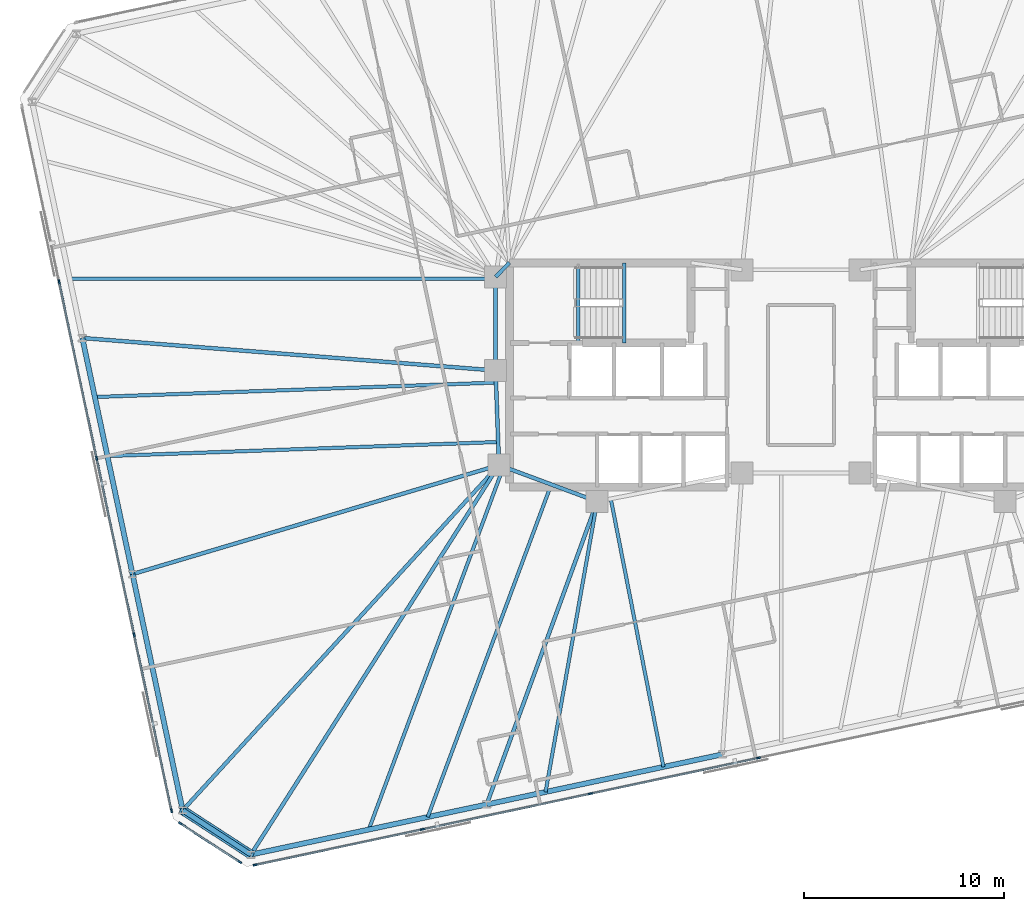
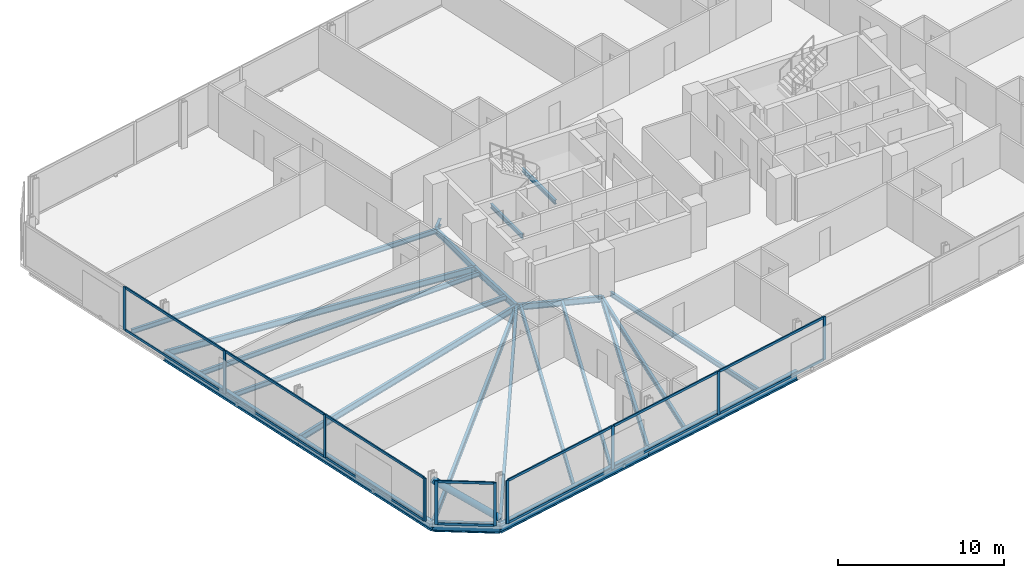
# One storey, part 6 of 19: 25 members, 23 beams, 3 elements without a shape of their own.
"""IFC4 building model written with IfcOpenShell, lengths in metres."""

from ifc_helpers import new_model, si_unit, direction, frame, origin, origin_2d, place, context, subcontext, project, spatial, rectangle, hollow_circle, i_section, extrude, material, material_profile, profile_set, type_object, element, aggregate, save


model = new_model("IFC4")

# Units and contexts
model_context = context("Model", 3, precision=1e-05, world=origin(), true_north=direction((0.0, 1.0)))
body_context = subcontext(model_context, "Body", "Model", "MODEL_VIEW")
ifc_project = project(units=[si_unit("LENGTHUNIT", "METRE"), si_unit("AREAUNIT", "SQUARE_METRE"), si_unit("VOLUMEUNIT", "CUBIC_METRE"), si_unit("PLANEANGLEUNIT", "RADIAN"), si_unit("MASSUNIT", "GRAM", prefix="KILO")], contexts=[model_context])

# Site, building, storey
site_placement = place(None, origin())
site = spatial("IfcSite", under=ifc_project, at=site_placement, CompositionType="ELEMENT")
building_placement = place(site_placement, origin())
building = spatial("IfcBuilding", under=site, at=building_placement, Name="Menara Jurai Vektor", CompositionType="ELEMENT")
storey_placement = place(building_placement, frame((0.0, 0.0, 195.60009765625)))
storey = spatial("IfcBuildingStorey", under=building, at=storey_placement, Name="L51", CompositionType="ELEMENT", Elevation=195.60009765625)

# Curtain wall, members
ifc_material_1 = material(Name="Anodised Pale Aluminium & Low-E Double Glazing", Category="aluminium")
curtain_wall_type = type_object("IfcCurtainWallType", Name="CW-BLK3", PredefinedType="NOTDEFINED", material=ifc_material_1)
curtain_wall_1_placement = place(storey_placement, origin())
curtain_wall_1 = element("IfcCurtainWall", 1, at=curtain_wall_1_placement, inside=storey, type_object=curtain_wall_type, Name="Unitised Curtain Wall L51 F01", PredefinedType="NOTDEFINED")
ifc_material_2 = material(Name="Anodised Pale Aluminium Mullion", Category="aluminium")
ifc_material_profile_1 = material_profile(ifc_material_2, rectangle(XDim=0.0849609375, YDim=0.205078125, at=origin_2d()), Name="ALU MUL 85x205")
ifc_profile_set_1 = profile_set([ifc_material_profile_1], Name="Anodised Pale Aluminium Mullion")
member_type_1 = type_object("IfcMemberType", Name="CW-BLK3-MUL", PredefinedType="MULLION", material=ifc_profile_set_1)
member_1_placement = place(storey_placement, frame((-27.25244140625, -24.462890625, 0.0), z_axis=(0.0, 0.0, 1.0), x_axis=(-0.207911344156, 0.978147674419, 0.0)))
member_1 = element("IfcMember", 2, at=member_1_placement, type_object=member_type_1, Name="CW-03 mullion 1", PredefinedType="MULLION", context=body_context, shape_type="SweptSolid", body=[
    extrude(rectangle(XDim=0.0849609375, YDim=0.205078125, at=origin_2d()), origin(), (0.0, 0.0, 1.0), 3.1748046875),
])
member_2_placement = place(storey_placement, frame((-18.904296875, -22.6884765625, 0.0), z_axis=(0.0, 0.0, 1.0), x_axis=(-0.207911344156, 0.978147674419, 0.0)))
member_2 = element("IfcMember", 3, at=member_2_placement, type_object=member_type_1, Name="CW-03 mullion 2", PredefinedType="MULLION", context=body_context, shape_type="SweptSolid", body=[
    extrude(rectangle(XDim=0.0849609375, YDim=0.205078125, at=origin_2d()), origin(), (0.0, 0.0, 1.0), 3.1748046875),
])
member_3_placement = place(storey_placement, frame((-10.514404296875, -20.905029296875, 0.0), z_axis=(0.0, 0.0, 1.0), x_axis=(-0.207911344156, 0.978147674419, 0.0)))
member_3 = element("IfcMember", 4, at=member_3_placement, type_object=member_type_1, Name="CW-03 mullion 3", PredefinedType="MULLION", context=body_context, shape_type="SweptSolid", body=[
    extrude(rectangle(XDim=0.0849609375, YDim=0.205078125, at=origin_2d()), origin(), (0.0, 0.0, 1.0), 3.1748046875),
])
member_4_placement = place(storey_placement, frame((-2.124755859375, -19.121826171875, 0.0), z_axis=(0.0, 0.0, 1.0), x_axis=(-0.207911344156, 0.978147674419, 0.0)))
member_4 = element("IfcMember", 5, at=member_4_placement, type_object=member_type_1, Name="CW-03 mullion 4", PredefinedType="MULLION", context=body_context, shape_type="SweptSolid", body=[
    extrude(rectangle(XDim=0.0849609375, YDim=0.205078125, at=origin_2d()), origin(), (0.0, 0.0, 1.0), 3.1748046875),
])

curtain_wall_2_placement = place(storey_placement, origin())
curtain_wall_2 = element("IfcCurtainWall", 6, at=curtain_wall_2_placement, inside=storey, type_object=curtain_wall_type, Name="Unitised Curtain Wall L51 F07", PredefinedType="NOTDEFINED")
member_5_placement = place(storey_placement, frame((-37.041259765625, 4.648193359375, 0.0), z_axis=(0.0, 0.0, 1.0), x_axis=(0.978147883949, 0.20791035839, 0.0)))
member_5 = element("IfcMember", 7, at=member_5_placement, type_object=member_type_1, Name="CW-03 mullion 2", PredefinedType="MULLION", context=body_context, shape_type="SweptSolid", body=[
    extrude(rectangle(XDim=0.0849609375, YDim=0.205078125, at=origin_2d()), origin(), (0.0, 0.0, 1.0), 3.1748046875),
])
member_6_placement = place(storey_placement, frame((-35.16796875, -4.1650390625, 0.0), z_axis=(0.0, 0.0, 1.0), x_axis=(0.978147883949, 0.20791035839, 0.0)))
member_6 = element("IfcMember", 8, at=member_6_placement, type_object=member_type_1, Name="CW-03 mullion 3", PredefinedType="MULLION", context=body_context, shape_type="SweptSolid", body=[
    extrude(rectangle(XDim=0.0849609375, YDim=0.205078125, at=origin_2d()), origin(), (0.0, 0.0, 1.0), 3.1748046875),
])
member_7_placement = place(storey_placement, frame((-33.294677734375, -12.978271484375, 0.0), z_axis=(0.0, 0.0, 1.0), x_axis=(0.978147883949, 0.20791035839, 0.0)))
member_7 = element("IfcMember", 9, at=member_7_placement, type_object=member_type_1, Name="CW-03 mullion 4", PredefinedType="MULLION", context=body_context, shape_type="SweptSolid", body=[
    extrude(rectangle(XDim=0.0849609375, YDim=0.205078125, at=origin_2d()), origin(), (0.0, 0.0, 1.0), 3.1748046875),
])
member_8_placement = place(storey_placement, frame((-31.43017578125, -21.749755859375, 0.0), z_axis=(0.0, 0.0, 1.0), x_axis=(0.978147883949, 0.20791035839, 0.0)))
member_8 = element("IfcMember", 10, at=member_8_placement, type_object=member_type_1, Name="CW-03 mullion 5", PredefinedType="MULLION", context=body_context, shape_type="SweptSolid", body=[
    extrude(rectangle(XDim=0.0849609375, YDim=0.205078125, at=origin_2d()), origin(), (0.0, 0.0, 1.0), 3.1748046875),
])

curtain_wall_3_placement = place(storey_placement, origin())
curtain_wall_3 = element("IfcCurtainWall", 11, at=curtain_wall_3_placement, inside=storey, type_object=curtain_wall_type, Name="Unitised Curtain Wall L51 F08", PredefinedType="NOTDEFINED")
member_9_placement = place(storey_placement, frame((-30.988037109375, -22.39306640625, 0.0), z_axis=(0.0, 0.0, 1.0), x_axis=(0.544617794346, 0.838684361415, 0.0)))
member_9 = element("IfcMember", 12, at=member_9_placement, type_object=member_type_1, Name="CW-03 mullion 1", PredefinedType="MULLION", context=body_context, shape_type="SweptSolid", body=[
    extrude(rectangle(XDim=0.0849609375, YDim=0.205078125, at=origin_2d()), origin(), (0.0, 0.0, 1.0), 3.1748046875),
])
member_10_placement = place(storey_placement, frame((-28.02001953125, -24.320556640625, 0.0), z_axis=(0.0, 0.0, 1.0), x_axis=(0.544617794346, 0.838684361415, 0.0)))
member_10 = element("IfcMember", 13, at=member_10_placement, type_object=member_type_1, Name="CW-03 mullion 2", PredefinedType="MULLION", context=body_context, shape_type="SweptSolid", body=[
    extrude(rectangle(XDim=0.0849609375, YDim=0.205078125, at=origin_2d()), origin(), (0.0, 0.0, 1.0), 3.1748046875),
])

# Member
ifc_material_3 = material(Name="Anodised Pale Aluminium Transom", Category="aluminium")
ifc_material_profile_2 = material_profile(ifc_material_3, rectangle(XDim=0.0849609375, YDim=0.175048828125, at=origin_2d()), Name="ALU TRN 85x175")
ifc_profile_set_2 = profile_set([ifc_material_profile_2], Name="Anodised Pale Aluminium Transom")
member_type_2 = type_object("IfcMemberType", Name="CW-BLK3-TRN", PredefinedType="USERDEFINED", material=ifc_profile_set_2)
member_11_placement = place(storey_placement, frame((-27.210693359375, -24.4541015625, 0.04248046875), z_axis=(0.978145704369, 0.207920612313, 0.0), x_axis=(-0.207920612313, 0.978145704369, 0.0)))
member_11 = element("IfcMember", 14, at=member_11_placement, type_object=member_type_2, Name="CW-03 transom 1.1", ObjectType="TRANSOM", PredefinedType="USERDEFINED", context=body_context, shape_type="SweptSolid", body=[
    extrude(rectangle(XDim=0.0849609375, YDim=0.175048828125, at=origin_2d()), origin(), (0.0, 0.0, 1.0), 8.449462890625),
])

member_12_placement = place(storey_placement, frame((-27.210693359375, -24.4541015625, 3.13232421875), z_axis=(0.978145704369, 0.207920612313, 0.0), x_axis=(-0.207920612313, 0.978145704369, 0.0)))
member_12 = element("IfcMember", 15, at=member_12_placement, type_object=member_type_2, Name="CW-03 transom 1.2", ObjectType="TRANSOM", PredefinedType="USERDEFINED", context=body_context, shape_type="SweptSolid", body=[
    extrude(rectangle(XDim=0.0849609375, YDim=0.175048828125, at=origin_2d()), origin(), (0.0, 0.0, 1.0), 8.449462890625),
])

member_13_placement = place(storey_placement, frame((-18.862548828125, -22.6796875, 0.04248046875), z_axis=(0.978146500933, 0.207916864907, 0.0), x_axis=(-0.207916864907, 0.978146500933, 0.0)))
member_13 = element("IfcMember", 16, at=member_13_placement, type_object=member_type_2, Name="CW-03 transom 2.1", ObjectType="TRANSOM", PredefinedType="USERDEFINED", context=body_context, shape_type="SweptSolid", body=[
    extrude(rectangle(XDim=0.0849609375, YDim=0.175048828125, at=origin_2d()), origin(), (0.0, 0.0, 1.0), 8.491943359375),
])

member_14_placement = place(storey_placement, frame((-18.862548828125, -22.6796875, 3.13232421875), z_axis=(0.978146500933, 0.207916864907, 0.0), x_axis=(-0.207916864907, 0.978146500933, 0.0)))
member_14 = element("IfcMember", 17, at=member_14_placement, type_object=member_type_2, Name="CW-03 transom 2.2", ObjectType="TRANSOM", PredefinedType="USERDEFINED", context=body_context, shape_type="SweptSolid", body=[
    extrude(rectangle(XDim=0.0849609375, YDim=0.175048828125, at=origin_2d()), origin(), (0.0, 0.0, 1.0), 8.491943359375),
])

member_15_placement = place(storey_placement, frame((-10.472900390625, -20.896240234375, 0.04248046875), z_axis=(0.978147743708, 0.207911018178, 0.0), x_axis=(-0.207911018178, 0.978147743708, 0.0)))
member_15 = element("IfcMember", 18, at=member_15_placement, type_object=member_type_2, Name="CW-03 transom 3.1", ObjectType="TRANSOM", PredefinedType="USERDEFINED", context=body_context, shape_type="SweptSolid", body=[
    extrude(rectangle(XDim=0.0849609375, YDim=0.175048828125, at=origin_2d()), origin(), (0.0, 0.0, 1.0), 8.4921875),
])

member_16_placement = place(storey_placement, frame((-10.472900390625, -20.896240234375, 3.13232421875), z_axis=(0.978147743708, 0.207911018178, 0.0), x_axis=(-0.207911018178, 0.978147743708, 0.0)))
member_16 = element("IfcMember", 19, at=member_16_placement, type_object=member_type_2, Name="CW-03 transom 3.2", ObjectType="TRANSOM", PredefinedType="USERDEFINED", context=body_context, shape_type="SweptSolid", body=[
    extrude(rectangle(XDim=0.0849609375, YDim=0.175048828125, at=origin_2d()), origin(), (0.0, 0.0, 1.0), 8.4921875),
])

aggregate(curtain_wall_1, [member_1, member_2, member_3, member_4, member_11, member_12, member_13, member_14, member_15, member_16])

member_17_placement = place(storey_placement, frame((-37.032470703125, 4.6064453125, 0.04248046875), z_axis=(0.207922224243, -0.978145361726, 0.0), x_axis=(0.978145361726, 0.207922224243, 0.0)))
member_17 = element("IfcMember", 20, at=member_17_placement, type_object=member_type_2, Name="CW-03 transom 2.1", ObjectType="TRANSOM", PredefinedType="USERDEFINED", context=body_context, shape_type="SweptSolid", body=[
    extrude(rectangle(XDim=0.0849609375, YDim=0.175048828125, at=origin_2d()), origin(), (0.0, 0.0, 1.0), 8.925048828125),
])

member_18_placement = place(storey_placement, frame((-37.032470703125, 4.6064453125, 3.13232421875), z_axis=(0.207922224243, -0.978145361726, 0.0), x_axis=(0.978145361726, 0.207922224243, 0.0)))
member_18 = element("IfcMember", 21, at=member_18_placement, type_object=member_type_2, Name="CW-03 transom 2.2", ObjectType="TRANSOM", PredefinedType="USERDEFINED", context=body_context, shape_type="SweptSolid", body=[
    extrude(rectangle(XDim=0.0849609375, YDim=0.175048828125, at=origin_2d()), origin(), (0.0, 0.0, 1.0), 8.925048828125),
])

member_19_placement = place(storey_placement, frame((-35.1591796875, -4.20654296875, 0.04248046875), z_axis=(0.207922224243, -0.978145361726, 0.0), x_axis=(0.978145361726, 0.207922224243, 0.0)))
member_19 = element("IfcMember", 22, at=member_19_placement, type_object=member_type_2, Name="CW-03 transom 3.1", ObjectType="TRANSOM", PredefinedType="USERDEFINED", context=body_context, shape_type="SweptSolid", body=[
    extrude(rectangle(XDim=0.0849609375, YDim=0.175048828125, at=origin_2d()), origin(), (0.0, 0.0, 1.0), 8.925048828125),
])

member_20_placement = place(storey_placement, frame((-35.1591796875, -4.20654296875, 3.13232421875), z_axis=(0.207922224243, -0.978145361726, 0.0), x_axis=(0.978145361726, 0.207922224243, 0.0)))
member_20 = element("IfcMember", 23, at=member_20_placement, type_object=member_type_2, Name="CW-03 transom 3.2", ObjectType="TRANSOM", PredefinedType="USERDEFINED", context=body_context, shape_type="SweptSolid", body=[
    extrude(rectangle(XDim=0.0849609375, YDim=0.175048828125, at=origin_2d()), origin(), (0.0, 0.0, 1.0), 8.925048828125),
])

member_21_placement = place(storey_placement, frame((-33.285888671875, -13.019775390625, 0.04248046875), z_axis=(0.207925814542, -0.978144598537, 0.0), x_axis=(0.978144598537, 0.207925814542, 0.0)))
member_21 = element("IfcMember", 24, at=member_21_placement, type_object=member_type_2, Name="CW-03 transom 4.1", ObjectType="TRANSOM", PredefinedType="USERDEFINED", context=body_context, shape_type="SweptSolid", body=[
    extrude(rectangle(XDim=0.0849609375, YDim=0.175048828125, at=origin_2d()), origin(), (0.0, 0.0, 1.0), 8.882568359375),
])

member_22_placement = place(storey_placement, frame((-33.285888671875, -13.019775390625, 3.13232421875), z_axis=(0.207925814542, -0.978144598537, 0.0), x_axis=(0.978144598537, 0.207925814542, 0.0)))
member_22 = element("IfcMember", 25, at=member_22_placement, type_object=member_type_2, Name="CW-03 transom 4.2", ObjectType="TRANSOM", PredefinedType="USERDEFINED", context=body_context, shape_type="SweptSolid", body=[
    extrude(rectangle(XDim=0.0849609375, YDim=0.175048828125, at=origin_2d()), origin(), (0.0, 0.0, 1.0), 8.882568359375),
])

aggregate(curtain_wall_2, [member_5, member_6, member_7, member_8, member_17, member_18, member_19, member_20, member_21, member_22])

member_23_placement = place(storey_placement, frame((-30.952392578125, -22.416259765625, 0.04248046875), z_axis=(0.83867770631, -0.54462804274, 0.0), x_axis=(0.54462804274, 0.83867770631, 0.0)))
member_23 = element("IfcMember", 26, at=member_23_placement, type_object=member_type_2, Name="CW-03 transom 1.1", ObjectType="TRANSOM", PredefinedType="USERDEFINED", context=body_context, shape_type="SweptSolid", body=[
    extrude(rectangle(XDim=0.0849609375, YDim=0.175048828125, at=origin_2d()), origin(), (0.0, 0.0, 1.0), 3.453857421875),
])

member_24_placement = place(storey_placement, frame((-30.952392578125, -22.416259765625, 3.13232421875), z_axis=(0.83867770631, -0.54462804274, 0.0), x_axis=(0.54462804274, 0.83867770631, 0.0)))
member_24 = element("IfcMember", 27, at=member_24_placement, type_object=member_type_2, Name="CW-03 transom 1.2", ObjectType="TRANSOM", PredefinedType="USERDEFINED", context=body_context, shape_type="SweptSolid", body=[
    extrude(rectangle(XDim=0.0849609375, YDim=0.175048828125, at=origin_2d()), origin(), (0.0, 0.0, 1.0), 3.453857421875),
])

aggregate(curtain_wall_3, [member_9, member_10, member_23, member_24])

# Beams
ifc_material_4 = material(Name="Steel S355", Category="steel")
ifc_material_profile_3 = material_profile(ifc_material_4, i_section(OverallWidth=0.19091796875, OverallDepth=0.4599609375, WebThickness=0.010009765625, FlangeThickness=0.01611328125, FilletRadius=0.010009765625, at=origin_2d()), Name="UKB 457x191x82")
ifc_profile_set_3 = profile_set([ifc_material_profile_3], Name="Steel S355")
beam_type_1 = type_object("IfcBeamType", Name="STR-BM-457", PredefinedType="BEAM", material=ifc_profile_set_3)
beam_1_placement = place(storey_placement, frame((-15.25, 4.89990234375, -0.455078125), z_axis=(0.701871936926, 0.712303154672, 0.0), x_axis=(-0.712303154672, 0.701871936926, 0.0)))
element("IfcBeam", 28, at=beam_1_placement, inside=storey, type_object=beam_type_1, Name="Core Ring Header Girder L51-CHW-N1", PredefinedType="BEAM", context=body_context, shape_type="SweptSolid", body=[
    extrude(i_section(OverallWidth=0.19091796875, OverallDepth=0.4599609375, WebThickness=0.010009765625, FlangeThickness=0.01611328125, FilletRadius=0.010009765625, at=origin_2d()), origin(), (0.0, 0.0, 1.0), 0.98291015625),
])
beam_2_placement = place(storey_placement, frame((-15.25, 0.219970703125, -0.455078125), z_axis=(0.0, 1.0, 0.0), x_axis=(-1.0, 0.0, 0.0)))
element("IfcBeam", 29, at=beam_2_placement, inside=storey, type_object=beam_type_1, Name="Core Ring Header Girder L51-CHW-W1", PredefinedType="BEAM", context=body_context, shape_type="SweptSolid", body=[
    extrude(i_section(OverallWidth=0.19091796875, OverallDepth=0.4599609375, WebThickness=0.010009765625, FlangeThickness=0.01611328125, FilletRadius=0.010009765625, at=origin_2d()), origin(), (0.0, 0.0, 1.0), 4.679931640625),
])
beam_3_placement = place(storey_placement, frame((-15.080078125, -4.5, -0.455078125), z_axis=(-0.035977314146, 0.999352606874, 0.0), x_axis=(-0.999352606874, -0.035977314146, 0.0)))
element("IfcBeam", 30, at=beam_3_placement, inside=storey, type_object=beam_type_1, Name="Core Ring Header Girder L51-CHW-W2", PredefinedType="BEAM", context=body_context, shape_type="SweptSolid", body=[
    extrude(i_section(OverallWidth=0.19091796875, OverallDepth=0.4599609375, WebThickness=0.010009765625, FlangeThickness=0.01611328125, FilletRadius=0.010009765625, at=origin_2d()), origin(), (0.0, 0.0, 1.0), 4.72314453125),
])
beam_4_placement = place(storey_placement, frame((-15.080078125, -4.5, -0.455078125), z_axis=(0.937424400887, -0.348188874925, 0.0), x_axis=(0.348188874925, 0.937424400887, 0.0)))
element("IfcBeam", 31, at=beam_4_placement, inside=storey, type_object=beam_type_1, Name="Core Ring Header Girder L51-CHW-S1", PredefinedType="BEAM", context=body_context, shape_type="SweptSolid", body=[
    extrude(i_section(OverallWidth=0.19091796875, OverallDepth=0.4599609375, WebThickness=0.010009765625, FlangeThickness=0.01611328125, FilletRadius=0.010009765625, at=origin_2d()), origin(), (0.0, 0.0, 1.0), 5.227294921875),
])
beam_5_placement = place(storey_placement, frame((-27.46484375, -23.94580078125, -0.455078125), z_axis=(0.537189280991, 0.843461721946, 0.0), x_axis=(-0.843461721946, 0.537189280991, 0.0)))
element("IfcBeam", 32, at=beam_5_placement, inside=storey, type_object=beam_type_1, Name="Radial Floor Girder L51-S1", PredefinedType="BEAM", context=body_context, shape_type="SweptSolid", body=[
    extrude(i_section(OverallWidth=0.19091796875, OverallDepth=0.4599609375, WebThickness=0.010009765625, FlangeThickness=0.01611328125, FilletRadius=0.010009765625, at=origin_2d()), origin(), (0.0, 0.0, 1.0), 23.0546875),
])
beam_6_placement = place(storey_placement, frame((-15.696533203125, -21.4443359375, -0.455078125), z_axis=(0.342668294367, 0.939456459893, 0.0), x_axis=(-0.939456459893, 0.342668294367, 0.0)))
element("IfcBeam", 33, at=beam_6_placement, inside=storey, type_object=beam_type_1, Name="Radial Floor Girder L51-S2", PredefinedType="BEAM", context=body_context, shape_type="SweptSolid", body=[
    extrude(i_section(OverallWidth=0.19091796875, OverallDepth=0.4599609375, WebThickness=0.010009765625, FlangeThickness=0.01611328125, FilletRadius=0.010009765625, at=origin_2d()), origin(), (0.0, 0.0, 1.0), 16.098876953125),
])
beam_7_placement = place(storey_placement, frame((-35.8828125, 1.843505859375, -0.455078125), z_axis=(0.996918476483, -0.078444574364, 0.0), x_axis=(0.078444574364, 0.996918476483, 0.0)))
element("IfcBeam", 34, at=beam_7_placement, inside=storey, type_object=beam_type_1, Name="Radial Floor Girder L51-W2", PredefinedType="BEAM", context=body_context, shape_type="SweptSolid", body=[
    extrude(i_section(OverallWidth=0.19091796875, OverallDepth=0.4599609375, WebThickness=0.010009765625, FlangeThickness=0.01611328125, FilletRadius=0.010009765625, at=origin_2d()), origin(), (0.0, 0.0, 1.0), 20.696533203125),
])
beam_8_placement = place(storey_placement, frame((-33.377197265625, -9.94482421875, -0.455078125), z_axis=(0.958462775407, 0.285217650505, 0.0), x_axis=(-0.285217650505, 0.958462775407, 0.0)))
element("IfcBeam", 35, at=beam_8_placement, inside=storey, type_object=beam_type_1, Name="Radial Floor Girder L51-W3", PredefinedType="BEAM", context=body_context, shape_type="SweptSolid", body=[
    extrude(i_section(OverallWidth=0.19091796875, OverallDepth=0.4599609375, WebThickness=0.010009765625, FlangeThickness=0.01611328125, FilletRadius=0.010009765625, at=origin_2d()), origin(), (0.0, 0.0, 1.0), 19.090087890625),
])
beam_9_placement = place(storey_placement, frame((-30.871337890625, -21.7333984375, -0.455078125), z_axis=(0.675584615662, 0.737282460852, 0.0), x_axis=(-0.737282460852, 0.675584615662, 0.0)))
element("IfcBeam", 36, at=beam_9_placement, inside=storey, type_object=beam_type_1, Name="Radial Floor Girder L51-W4", PredefinedType="BEAM", context=body_context, shape_type="SweptSolid", body=[
    extrude(i_section(OverallWidth=0.19091796875, OverallDepth=0.4599609375, WebThickness=0.010009765625, FlangeThickness=0.01611328125, FilletRadius=0.010009765625, at=origin_2d()), origin(), (0.0, 0.0, 1.0), 23.374267578125),
])

# Member
ifc_material_5 = material(Name="Steel S460", Category="steel")
ifc_material_profile_4 = material_profile(ifc_material_5, hollow_circle(Radius=0.228515625, WallThickness=0.01611328125, at=origin_2d()), Name="CHS 457x16")
ifc_profile_set_4 = profile_set([ifc_material_profile_4], Name="Steel S460")
member_type_3 = type_object("IfcMemberType", Name="STR-BR-457", PredefinedType="BRACE", material=ifc_profile_set_4)
member_25_placement = place(storey_placement, frame((-27.46484375, -23.94580078125, 0.14990234375), z_axis=(-0.700402825662, 0.454887866849, 0.5500117366), x_axis=(-0.544673525608, -0.838648168484, 0.0)))
element("IfcMember", 37, at=member_25_placement, inside=storey, type_object=member_type_3, Name="Exoskeleton Corner Brace L51-4", PredefinedType="BRACE", context=body_context, shape_type="SweptSolid", body=[
    extrude(hollow_circle(Radius=0.228515625, WallThickness=0.01611328125, at=origin_2d()), origin(), (0.0, 0.0, 1.0), 4.863525390625),
])

# Beams
ifc_material_profile_5 = material_profile(ifc_material_4, i_section(OverallWidth=0.172119140625, OverallDepth=0.35498046875, WebThickness=0.007080078125, FlangeThickness=0.011962890625, FilletRadius=0.010009765625, at=origin_2d()), Name="UKB 356x171x51")
ifc_profile_set_5 = profile_set([ifc_material_profile_5], Name="Steel S355")
beam_type_2 = type_object("IfcBeamType", Name="STR-JS-356", PredefinedType="JOIST", material=ifc_profile_set_5)
beam_10_placement = place(storey_placement, frame((-21.580810546875, -22.695068359375, -0.402587890625), z_axis=(0.348190019635, 0.937423975705, 0.0), x_axis=(-0.937423975705, 0.348190019635, 0.0)))
element("IfcBeam", 38, at=beam_10_placement, inside=storey, type_object=beam_type_2, Name="Radial Secondary Floor Joist L51-JS01", PredefinedType="JOIST", context=body_context, shape_type="SweptSolid", body=[
    extrude(i_section(OverallWidth=0.172119140625, OverallDepth=0.35498046875, WebThickness=0.007080078125, FlangeThickness=0.011962890625, FilletRadius=0.010009765625, at=origin_2d()), origin(), (0.0, 0.0, 1.0), 19.320068359375),
])
beam_11_placement = place(storey_placement, frame((-18.638671875, -22.069580078125, -0.402587890625), z_axis=(0.348193798412, 0.937422572135, 0.0), x_axis=(-0.937422572135, 0.348193798412, 0.0)))
element("IfcBeam", 39, at=beam_11_placement, inside=storey, type_object=beam_type_2, Name="Radial Secondary Floor Joist L51-JS02", PredefinedType="JOIST", context=body_context, shape_type="SweptSolid", body=[
    extrude(i_section(OverallWidth=0.172119140625, OverallDepth=0.35498046875, WebThickness=0.007080078125, FlangeThickness=0.011962890625, FilletRadius=0.010009765625, at=origin_2d()), origin(), (0.0, 0.0, 1.0), 17.709228515625),
])
beam_12_placement = place(storey_placement, frame((-12.75439453125, -20.819091796875, -0.402587890625), z_axis=(0.174826548521, 0.984599247375, 0.0), x_axis=(-0.984599247375, 0.174826548521, 0.0)))
element("IfcBeam", 40, at=beam_12_placement, inside=storey, type_object=beam_type_2, Name="Radial Secondary Floor Joist L51-JS03", PredefinedType="JOIST", context=body_context, shape_type="SweptSolid", body=[
    extrude(i_section(OverallWidth=0.172119140625, OverallDepth=0.35498046875, WebThickness=0.007080078125, FlangeThickness=0.011962890625, FilletRadius=0.010009765625, at=origin_2d()), origin(), (0.0, 0.0, 1.0), 14.725830078125),
])
beam_13_placement = place(storey_placement, frame((-6.870361328125, -19.568359375, -0.402587890625), z_axis=(-0.19273083746, 0.981251662058, 0.0), x_axis=(-0.981251662058, -0.19273083746, 0.0)))
element("IfcBeam", 41, at=beam_13_placement, inside=storey, type_object=beam_type_2, Name="Radial Secondary Floor Joist L51-JS04", PredefinedType="JOIST", context=body_context, shape_type="SweptSolid", body=[
    extrude(i_section(OverallWidth=0.172119140625, OverallDepth=0.35498046875, WebThickness=0.007080078125, FlangeThickness=0.011962890625, FilletRadius=0.010009765625, at=origin_2d()), origin(), (0.0, 0.0, 1.0), 13.6376953125),
])
beam_14_placement = place(storey_placement, frame((-36.50927734375, 4.790771484375, -0.402587890625), z_axis=(1.0, 0.0, 0.0), x_axis=(0.0, 1.0, 0.0)))
element("IfcBeam", 42, at=beam_14_placement, inside=storey, type_object=beam_type_2, Name="Radial Secondary Floor Joist L51-JS30", PredefinedType="JOIST", context=body_context, shape_type="SweptSolid", body=[
    extrude(i_section(OverallWidth=0.172119140625, OverallDepth=0.35498046875, WebThickness=0.007080078125, FlangeThickness=0.011962890625, FilletRadius=0.010009765625, at=origin_2d()), origin(), (0.0, 0.0, 1.0), 21.25927734375),
])
beam_15_placement = place(storey_placement, frame((-35.25634765625, -1.103515625, -0.402587890625), z_axis=(0.999351866858, 0.035997863919, 0.0), x_axis=(-0.035997863919, 0.999351866858, 0.0)))
element("IfcBeam", 43, at=beam_15_placement, inside=storey, type_object=beam_type_2, Name="Radial Secondary Floor Joist L51-JS31", PredefinedType="JOIST", context=body_context, shape_type="SweptSolid", body=[
    extrude(i_section(OverallWidth=0.172119140625, OverallDepth=0.35498046875, WebThickness=0.007080078125, FlangeThickness=0.011962890625, FilletRadius=0.010009765625, at=origin_2d()), origin(), (0.0, 0.0, 1.0), 20.041015625),
])
beam_16_placement = place(storey_placement, frame((-34.6298828125, -4.05078125, -0.402587890625), z_axis=(0.999352006705, 0.035993981369, 0.0), x_axis=(-0.035993981369, 0.999352006705, 0.0)))
element("IfcBeam", 44, at=beam_16_placement, inside=storey, type_object=beam_type_2, Name="Radial Secondary Floor Joist L51-JS32", PredefinedType="JOIST", context=body_context, shape_type="SweptSolid", body=[
    extrude(i_section(OverallWidth=0.172119140625, OverallDepth=0.35498046875, WebThickness=0.007080078125, FlangeThickness=0.011962890625, FilletRadius=0.010009765625, at=origin_2d()), origin(), (0.0, 0.0, 1.0), 19.52099609375),
])
ifc_material_profile_6 = material_profile(ifc_material_4, i_section(OverallWidth=0.1650390625, OverallDepth=0.302978515625, WebThickness=0.006103515625, FlangeThickness=0.010009765625, FilletRadius=0.009033203125, at=origin_2d()), Name="UKB 305x165x40")
ifc_profile_set_6 = profile_set([ifc_material_profile_6], Name="Steel S355")
beam_type_3 = type_object("IfcBeamType", Name="STR-LN-305", PredefinedType="LINTEL", material=ifc_profile_set_6)
beam_17_placement = place(storey_placement, frame((-11.1201171875, 1.60009765625, -0.376708984375), z_axis=(0.0, 1.0, 0.0), x_axis=(-1.0, 0.0, 0.0)))
element("IfcBeam", 45, at=beam_17_placement, inside=storey, type_object=beam_type_3, Name="Stair Well Floor Trimmer ST1 L51", PredefinedType="LINTEL", context=body_context, shape_type="SweptSolid", body=[
    extrude(i_section(OverallWidth=0.1650390625, OverallDepth=0.302978515625, WebThickness=0.006103515625, FlangeThickness=0.010009765625, FilletRadius=0.009033203125, at=origin_2d()), origin(), (0.0, 0.0, 1.0), 3.81982421875),
])
beam_18_placement = place(storey_placement, frame((-8.830078125, 1.60009765625, 1.348388671875), z_axis=(0.0, 1.0, 0.0), x_axis=(-1.0, 0.0, 0.0)))
element("IfcBeam", 46, at=beam_18_placement, inside=storey, type_object=beam_type_3, Name="Stair Half-Landing Nosing Trimmer ST1-1 L51", PredefinedType="LINTEL", context=body_context, shape_type="SweptSolid", body=[
    extrude(i_section(OverallWidth=0.1650390625, OverallDepth=0.302978515625, WebThickness=0.006103515625, FlangeThickness=0.010009765625, FilletRadius=0.009033203125, at=origin_2d()), origin(), (0.0, 0.0, 1.0), 4.0),
])
ifc_material_profile_7 = material_profile(ifc_material_5, i_section(OverallWidth=0.256103515625, OverallDepth=0.693115234375, WebThickness=0.013916015625, FlangeThickness=0.02392578125, FilletRadius=0.014892578125, at=origin_2d()), Name="UKB 686x254x170")
ifc_profile_set_7 = profile_set([ifc_material_profile_7], Name="Steel S460")
beam_type_4 = type_object("IfcBeamType", Name="STR-SP-686", PredefinedType="SPANDREL", material=ifc_profile_set_7)
beam_19_placement = place(storey_placement, frame((-27.46484375, -23.94580078125, -0.571533203125), z_axis=(0.978147039247, 0.207914332389, 0.0), x_axis=(-0.207914332389, 0.978147039247, 0.0)))
element("IfcBeam", 47, at=beam_19_placement, inside=storey, type_object=beam_type_4, Name="Exoskeleton Spandrel Beam L51-01", PredefinedType="SPANDREL", context=body_context, shape_type="SweptSolid", body=[
    extrude(i_section(OverallWidth=0.256103515625, OverallDepth=0.693115234375, WebThickness=0.013916015625, FlangeThickness=0.02392578125, FilletRadius=0.014892578125, at=origin_2d()), origin(), (0.0, 0.0, 1.0), 12.03125),
])
beam_20_placement = place(storey_placement, frame((-15.696533203125, -21.4443359375, -0.571533203125), z_axis=(0.97814616202, 0.207918459318, 0.0), x_axis=(-0.207918459318, 0.97814616202, 0.0)))
element("IfcBeam", 48, at=beam_20_placement, inside=storey, type_object=beam_type_4, Name="Exoskeleton Spandrel Beam L51-02", PredefinedType="SPANDREL", context=body_context, shape_type="SweptSolid", body=[
    extrude(i_section(OverallWidth=0.256103515625, OverallDepth=0.693115234375, WebThickness=0.013916015625, FlangeThickness=0.02392578125, FilletRadius=0.014892578125, at=origin_2d()), origin(), (0.0, 0.0, 1.0), 12.031005859375),
])
beam_21_placement = place(storey_placement, frame((-35.8828125, 1.843505859375, -0.571533203125), z_axis=(0.207906000604, -0.978148810209, 0.0), x_axis=(0.978148810209, 0.207906000604, 0.0)))
element("IfcBeam", 49, at=beam_21_placement, inside=storey, type_object=beam_type_4, Name="Exoskeleton Spandrel Beam L51-18", PredefinedType="SPANDREL", context=body_context, shape_type="SweptSolid", body=[
    extrude(i_section(OverallWidth=0.256103515625, OverallDepth=0.693115234375, WebThickness=0.013916015625, FlangeThickness=0.02392578125, FilletRadius=0.014892578125, at=origin_2d()), origin(), (0.0, 0.0, 1.0), 12.0517578125),
])
beam_22_placement = place(storey_placement, frame((-33.377197265625, -9.94482421875, -0.571533203125), z_axis=(0.207921262698, -0.978145566119, 0.0), x_axis=(0.978145566119, 0.207921262698, 0.0)))
element("IfcBeam", 50, at=beam_22_placement, inside=storey, type_object=beam_type_4, Name="Exoskeleton Spandrel Beam L51-19", PredefinedType="SPANDREL", context=body_context, shape_type="SweptSolid", body=[
    extrude(i_section(OverallWidth=0.256103515625, OverallDepth=0.693115234375, WebThickness=0.013916015625, FlangeThickness=0.02392578125, FilletRadius=0.014892578125, at=origin_2d()), origin(), (0.0, 0.0, 1.0), 12.052001953125),
])
beam_23_placement = place(storey_placement, frame((-30.871337890625, -21.7333984375, -0.571533203125), z_axis=(0.838648168484, -0.544673525608, 0.0), x_axis=(0.544673525608, 0.838648168484, 0.0)))
element("IfcBeam", 51, at=beam_23_placement, inside=storey, type_object=beam_type_4, Name="Exoskeleton Spandrel Beam L51-20", PredefinedType="SPANDREL", context=body_context, shape_type="SweptSolid", body=[
    extrude(i_section(OverallWidth=0.256103515625, OverallDepth=0.693115234375, WebThickness=0.013916015625, FlangeThickness=0.02392578125, FilletRadius=0.014892578125, at=origin_2d()), origin(), (0.0, 0.0, 1.0), 4.061767578125),
])

save(model, "model.ifc")
